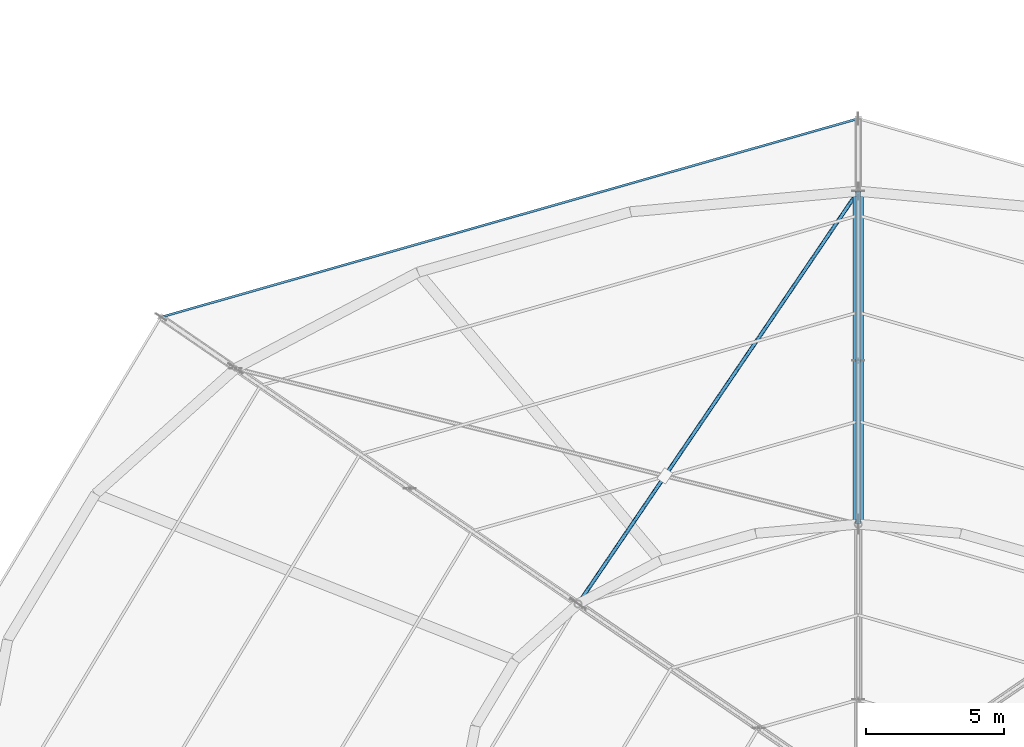
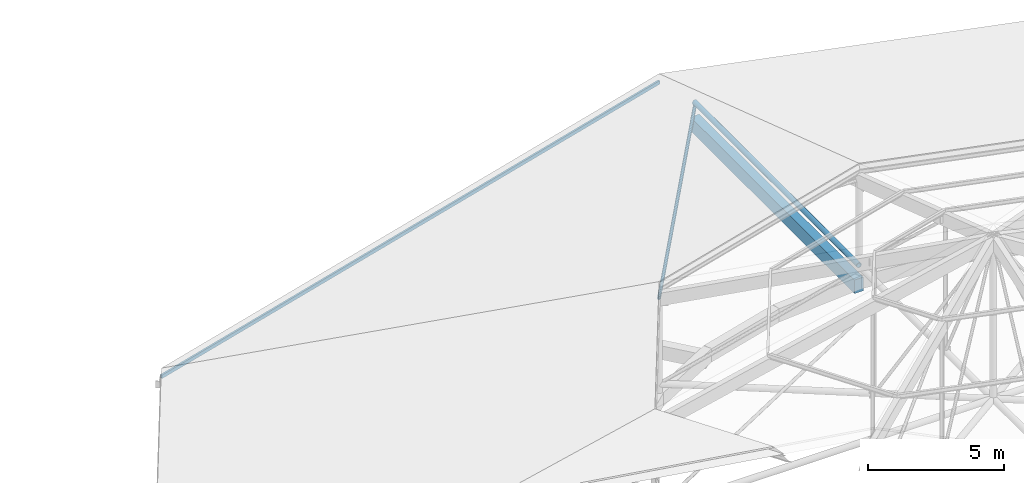
# One storey, part 35 of 66: 3 members, 1 beam.
"""IFC4 building model written with IfcOpenShell, lengths in metres."""

from ifc_helpers import new_model, si_unit, direction, frame, origin, origin_2d, place, context, subcontext, project, spatial, rectangle, hollow_rectangle, hollow_circle, extrude, material, material_profile, profile_set, type_object, element, save


model = new_model("IFC4")

# Units and contexts
model_context = context("Model", 3, precision=1e-05, world=origin(), true_north=direction((0.0, 1.0)))
body_context = subcontext(model_context, "Body", "Model", "MODEL_VIEW")
ifc_project = project(units=[si_unit("LENGTHUNIT", "METRE"), si_unit("AREAUNIT", "SQUARE_METRE"), si_unit("VOLUMEUNIT", "CUBIC_METRE"), si_unit("PLANEANGLEUNIT", "RADIAN"), si_unit("MASSUNIT", "GRAM", prefix="KILO")], contexts=[model_context])

# Site, building, storey
site_placement = place(None, origin())
site = spatial("IfcSite", under=ifc_project, at=site_placement, CompositionType="ELEMENT")
building_placement = place(site_placement, origin())
building = spatial("IfcBuilding", under=site, at=building_placement, Name="Zornivar Specialist Clinic", CompositionType="ELEMENT")
storey_placement = place(building_placement, frame((0.0, 0.0, 16.0)))
storey = spatial("IfcBuildingStorey", under=building, at=storey_placement, Name="L04", CompositionType="ELEMENT", Elevation=16.0)

# Beam
ifc_material_1 = material(Name="Concrete C30/37", Category="concrete")
ifc_material_profile_1 = material_profile(ifc_material_1, rectangle(XDim=0.3798828125, YDim=0.6201171875, at=origin_2d()), Name="RC 380x620")
ifc_profile_set_1 = profile_set([ifc_material_profile_1], Name="Concrete C30/37")
beam_type = type_object("IfcBeamType", Name="BM-RC-CANT-380x620", PredefinedType="BEAM", material=ifc_profile_set_1)
beam_placement = place(storey_placement, frame((93.60009765625, 67.5, -0.550048828125), z_axis=(0.0, 1.0, 0.0), x_axis=(-1.0, 0.0, 0.0)))
element("IfcBeam", 1, at=beam_placement, inside=storey, type_object=beam_type, Name="bm:V1:L04:radcant:06", PredefinedType="BEAM", context=body_context, shape_type="SweptSolid", body=[
    extrude(rectangle(XDim=0.3798828125, YDim=0.6201171875, at=origin_2d()), origin(), (0.0, 0.0, 1.0), 12.10009765625),
])

# Members
ifc_material_2 = material(Name="Steel S355J2", Category="steel")
ifc_material_profile_2 = material_profile(ifc_material_2, hollow_circle(Radius=0.109619140625, WallThickness=0.012451171875, at=origin_2d()), Name="CHS 219.1x12.5")
ifc_profile_set_2 = profile_set([ifc_material_profile_2], Name="Steel S355J2")
member_type_1 = type_object("IfcMemberType", Name="MEM-CHORD-CHS219", PredefinedType="CHORD", material=ifc_profile_set_2)
member_1_placement = place(storey_placement, frame((93.60009765625, 79.60009765625, 0.360107421875), z_axis=(0.0, -1.0, 0.0), x_axis=(1.0, 0.0, 0.0)))
element("IfcMember", 2, at=member_1_placement, inside=storey, type_object=member_type_1, Name="mem:V1:L04:rtie:2", PredefinedType="CHORD", context=body_context, shape_type="SweptSolid", body=[
    extrude(hollow_circle(Radius=0.109619140625, WallThickness=0.012451171875, at=origin_2d()), origin(), (0.0, 0.0, 1.0), 12.10009765625),
])
ifc_material_3 = material(Name="Steel S355J2", Category="steel")
ifc_material_profile_3 = material_profile(ifc_material_3, hollow_rectangle(XDim=0.080078125, YDim=0.159912109375, WallThickness=0.008056640625, at=origin_2d()), Name="RHS 160x80x8")
ifc_profile_set_3 = profile_set([ifc_material_profile_3], Name="Steel S355J2")
member_type_2 = type_object("IfcMemberType", Name="MEM-EAVE-RHS160", PredefinedType="USERDEFINED", material=ifc_profile_set_3)
member_2_placement = place(storey_placement, frame((93.60009765625, 82.239990234375, -0.3359375), z_axis=(-0.961759598751, -0.273895005816, 0.0), x_axis=(0.273895005816, -0.961759598751, 0.0)))
element("IfcMember", 3, at=member_2_placement, inside=storey, type_object=member_type_2, Name="mem:V1:L04:purl:2:00", ObjectType="EAVE RAFTER", PredefinedType="USERDEFINED", context=body_context, shape_type="SweptSolid", body=[
    extrude(hollow_rectangle(XDim=0.080078125, YDim=0.159912109375, WallThickness=0.008056640625, at=origin_2d()), origin(), (0.0, 0.0, 1.0), 26.349609375),
])
ifc_material_4 = material(Name="Steel S355J2", Category="steel")
ifc_material_profile_4 = material_profile(ifc_material_4, hollow_circle(Radius=0.06982421875, WallThickness=0.008056640625, at=origin_2d()), Name="CHS 139.7x8")
ifc_profile_set_4 = profile_set([ifc_material_profile_4], Name="Steel S355J2")
member_type_3 = type_object("IfcMemberType", Name="MEM-WIND-CHS140", PredefinedType="BRACE", material=ifc_profile_set_4)
member_3_placement = place(storey_placement, frame((93.60009765625, 79.60009765625, 0.177001953125), z_axis=(-0.548272198487, -0.807697786291, 0.216845295978), x_axis=(0.82738459085, -0.561635770605, 0.0)))
element("IfcMember", 4, at=member_3_placement, inside=storey, type_object=member_type_3, Name="mem:V1:L04:wbraceA:2", PredefinedType="BRACE", context=body_context, shape_type="SweptSolid", body=[
    extrude(hollow_circle(Radius=0.06982421875, WallThickness=0.008056640625, at=origin_2d()), origin(), (0.0, 0.0, 1.0), 18.5712890625),
])

save(model, "model.ifc")
